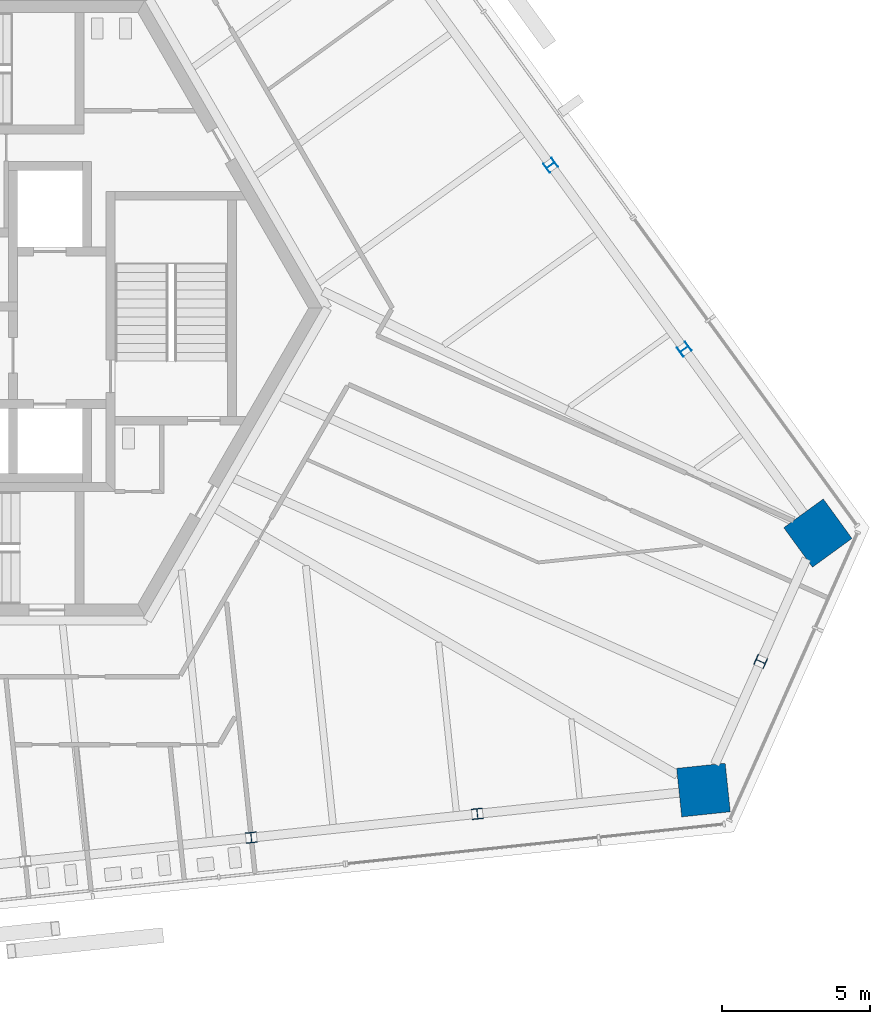
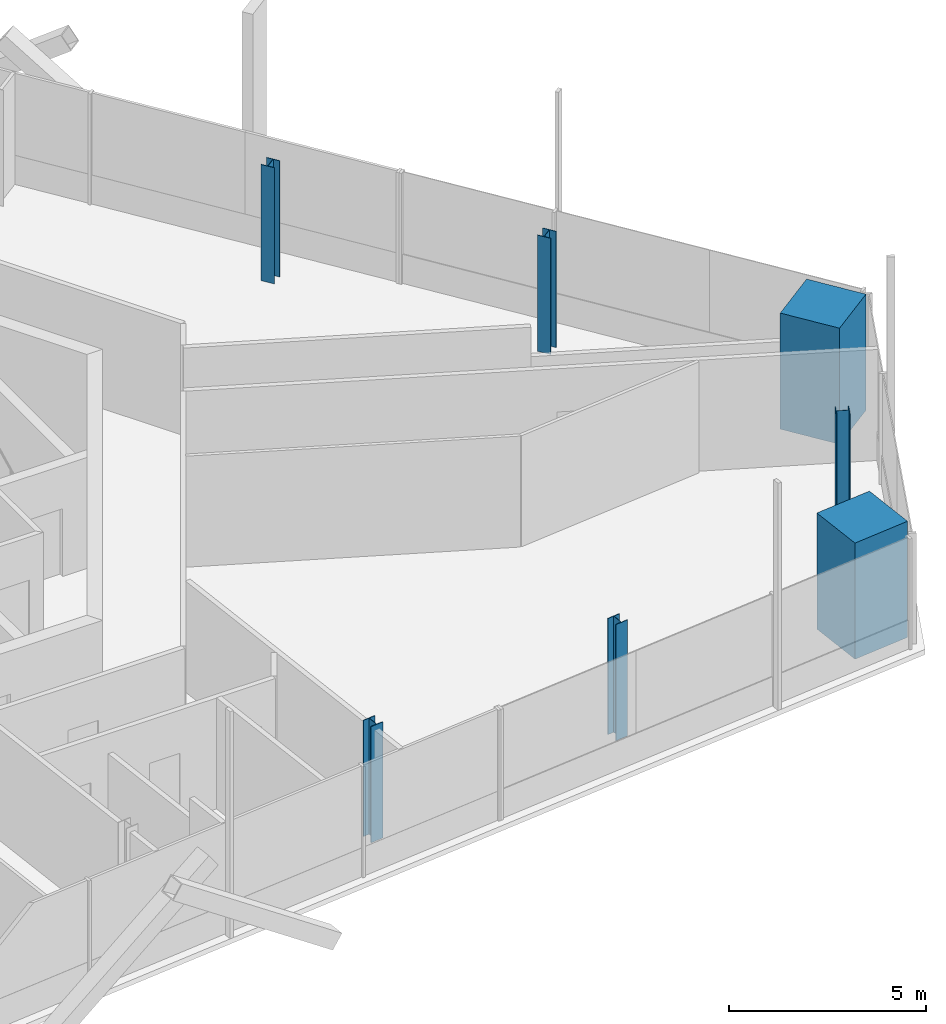
# One storey, part 2 of 20: 7 columns.
"""IFC4 building model written with IfcOpenShell, lengths in metres."""

from ifc_helpers import new_model, si_unit, direction, frame, origin, origin_2d, place, context, subcontext, project, spatial, rectangle, i_section, extrude, source, transform, mapped, material, material_profile, profile_set, type_object, element, save


model = new_model("IFC4")

# Units and contexts
model_context = context("Model", 3, precision=1e-05, world=origin(), true_north=direction((0.0, 1.0)))
body_context = subcontext(model_context, "Body", "Model", "MODEL_VIEW")
ifc_project = project(units=[si_unit("LENGTHUNIT", "METRE"), si_unit("AREAUNIT", "SQUARE_METRE"), si_unit("VOLUMEUNIT", "CUBIC_METRE"), si_unit("PLANEANGLEUNIT", "RADIAN"), si_unit("MASSUNIT", "GRAM", prefix="KILO")], contexts=[model_context])

# Site, building, storey
site_placement = place(None, origin())
site = spatial("IfcSite", under=ifc_project, at=site_placement, CompositionType="ELEMENT")
building_placement = place(site_placement, origin())
building = spatial("IfcBuilding", under=site, at=building_placement, Name="Triune Harvest Tower", CompositionType="ELEMENT")
storey_placement = place(building_placement, frame((0.0, 0.0, 234.10009765625)))
storey = spatial("IfcBuildingStorey", under=building, at=storey_placement, Name="L61", CompositionType="ELEMENT", Elevation=234.10009765625)

# Columns
ifc_material_1 = material(Name="Concrete 70 MPa", Category="concrete")
ifc_material_profile_1 = material_profile(ifc_material_1, rectangle(XDim=1.64990234375, YDim=1.64990234375, at=origin_2d()), Name="Composite 1650x1650")
ifc_profile_set_1 = profile_set([ifc_material_profile_1], Name="Concrete 70 MPa")
column_type_1 = type_object("IfcColumnType", Name="MC-6 Mega column Composite 1650x1650", PredefinedType="COLUMN", material=ifc_profile_set_1)
shared_shape_1 = source(origin(), body_context, "Body", "SweptSolid", [
    extrude(rectangle(XDim=1.64990234375, YDim=1.64990234375, at=origin_2d()), origin(), (0.0, 0.0, 1.0), 3.599853515625),
])
for number, where, z_axis, x_axis, name in (
    (1, (28.741455078125, -7.59521484375, 0.0), (0.0, 0.0, 1.0), (-0.587785252292, 0.809016994375, 0.0), "col/L61/M0"),
    (2, (24.8759765625, -16.27685546875, 0.0), (0.0, 0.0, 1.0), (0.99452171293, 0.104530199036, 0.0), "col/L61/M22"),
):
    element("IfcColumn", number, at=place(storey_placement, frame(where, z_axis=z_axis, x_axis=x_axis)), inside=storey, type_object=column_type_1, Name=name, PredefinedType="COLUMN", context=body_context, shape_type="MappedRepresentation", body=[
        mapped(shared_shape_1, transform((0.0, 0.0, 0.0), scale=1.0)),
    ])
ifc_material_2 = material(Name="Steel ASTM A992 Gr 50", Category="steel")
ifc_material_profile_2 = material_profile(ifc_material_2, i_section(OverallWidth=0.368408203125, OverallDepth=0.355712890625, WebThickness=0.01123046875, FlangeThickness=0.01806640625, at=origin_2d()), Name="W14x90")
ifc_profile_set_2 = profile_set([ifc_material_profile_2], Name="Steel ASTM A992 Gr 50")
column_type_2 = type_object("IfcColumnType", Name="PC-6 Perimeter column W14x90", PredefinedType="COLUMN", material=ifc_profile_set_2)
shared_shape_2 = source(origin(), body_context, "Body", "SweptSolid", [
    extrude(i_section(OverallWidth=0.368408203125, OverallDepth=0.355712890625, WebThickness=0.01123046875, FlangeThickness=0.01806640625, at=origin_2d()), origin(), (0.0, 0.0, 1.0), 3.599853515625),
])
for number, where, z_axis, x_axis, name in (
    (3, (24.2275390625, -1.38232421875, 0.0), (0.0, 0.0, 1.0), (-0.587785252292, 0.809016994375, 0.0), "col/L61/P1"),
    (4, (19.713623046875, 4.83056640625, 0.0), (0.0, 0.0, 1.0), (-0.587785252292, 0.809016994375, 0.0), "col/L61/P2"),
    (5, (9.601318359375, -17.88232421875, 0.0), (0.0, 0.0, 1.0), (0.99452171293, 0.104530199036, 0.0), "col/L61/P20"),
    (6, (17.238525390625, -17.07958984375, 0.0), (0.0, 0.0, 1.0), (0.99452171293, 0.104530199036, 0.0), "col/L61/P21"),
    (7, (26.80859375, -11.93603515625, 0.0), (0.0, 0.0, 1.0), (0.406741426383, 0.913543327962, 0.0), "col/L61/P23"),
):
    element("IfcColumn", number, at=place(storey_placement, frame(where, z_axis=z_axis, x_axis=x_axis)), inside=storey, type_object=column_type_2, Name=name, PredefinedType="COLUMN", context=body_context, shape_type="MappedRepresentation", body=[
        mapped(shared_shape_2, transform((0.0, 0.0, 0.0), scale=1.0)),
    ])

save(model, "model.ifc")
